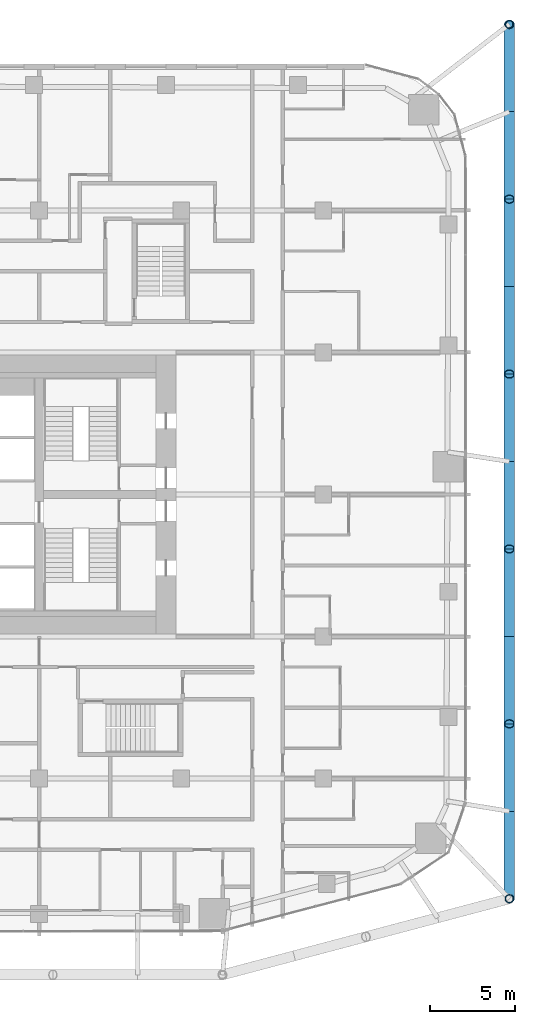
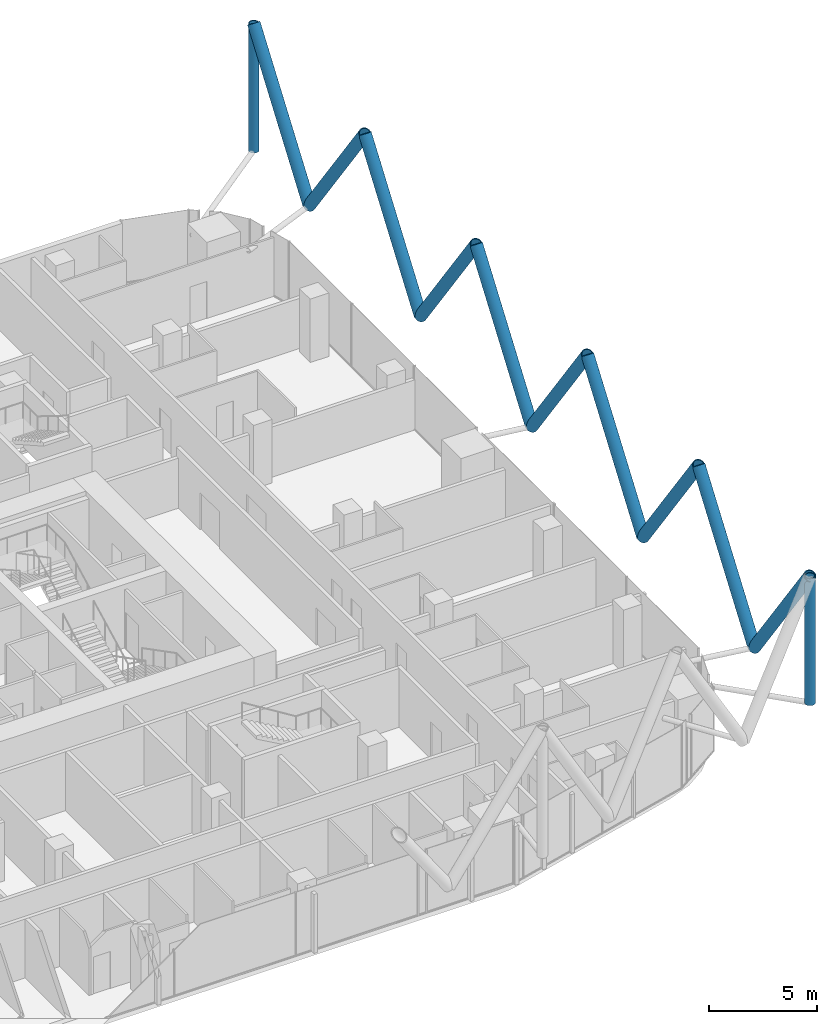
# One storey, part 15 of 38: 12 members.
"""IFC4 building model written with IfcOpenShell, lengths in metres."""

from ifc_helpers import new_model, si_unit, direction, frame, origin, origin_2d, place, context, subcontext, project, spatial, hollow_circle, extrude, material, material_profile, profile_set, type_object, element, save


model = new_model("IFC4")

# Units and contexts
model_context = context("Model", 3, precision=1e-05, world=origin(), true_north=direction((0.0, 1.0)))
body_context = subcontext(model_context, "Body", "Model", "MODEL_VIEW")
ifc_project = project(units=[si_unit("LENGTHUNIT", "METRE"), si_unit("AREAUNIT", "SQUARE_METRE"), si_unit("VOLUMEUNIT", "CUBIC_METRE"), si_unit("PLANEANGLEUNIT", "RADIAN"), si_unit("MASSUNIT", "GRAM", prefix="KILO")], contexts=[model_context])

# Site, building, storey
site_placement = place(None, origin())
site = spatial("IfcSite", under=ifc_project, at=site_placement, CompositionType="ELEMENT")
building_placement = place(site_placement, origin())
building = spatial("IfcBuilding", under=site, at=building_placement, Name="Marenta Gate Hotel Tower", CompositionType="ELEMENT")
storey_placement = place(building_placement, frame((0.0, 0.0, 54.5)))
storey = spatial("IfcBuildingStorey", under=building, at=storey_placement, Name="L11", CompositionType="ELEMENT", Elevation=54.5)

# Members
ifc_material_1 = material(Name="Steel S355J2W", Category="steel")
ifc_material_profile_1 = material_profile(ifc_material_1, hollow_circle(Radius=0.25390625, WallThickness=0.0400390625, at=origin_2d()), Name="CHS 508x40")
ifc_profile_set_1 = profile_set([ifc_material_profile_1], Name="Steel S355J2W")
member_type_1 = type_object("IfcMemberType", Name="Diagrid corner post Z1 CHS 508x40", PredefinedType="POST", material=ifc_profile_set_1)
for number, where, z_axis, x_axis, name in (
    (1, (32.0, 36.199951171875, 3.139892578125), (0.0, 0.0, 1.0), (1.0, 0.0, 0.0), "L11-DR-1"),
    (2, (32.0, -15.500244140625, 3.139892578125), (0.0, 0.0, 1.0), (1.0, 0.0, 0.0), "L11-DR-2"),
):
    element("IfcMember", number, at=place(storey_placement, frame(where, z_axis=z_axis, x_axis=x_axis)), inside=storey, type_object=member_type_1, Name=name, PredefinedType="POST", context=body_context, shape_type="SweptSolid", body=[
        extrude(hollow_circle(Radius=0.25390625, WallThickness=0.0400390625, at=origin_2d()), origin(), (0.0, 0.0, 1.0), 7.2001953125),
    ])
ifc_material_2 = material(Name="Steel S355J2W", Category="steel")
ifc_material_profile_2 = material_profile(ifc_material_2, hollow_circle(Radius=0.304931640625, WallThickness=0.0400390625, at=origin_2d()), Name="CHS 610x40")
ifc_profile_set_2 = profile_set([ifc_material_profile_2], Name="Steel S355J2W")
member_type_2 = type_object("IfcMemberType", Name="Diagrid diagonal Z1 CHS 610x40", PredefinedType="BRACE", material=ifc_profile_set_2)
for number, where, z_axis, x_axis, name in (
    (3, (32.0, 31.030029296875, 3.139892578125), (0.0, 0.583247791947, 0.812294289767), (-1.0, 0.0, 0.0), "L11-DG-1"),
    (4, (32.0, 31.030029296875, 3.139892578125), (0.0, -0.583247791947, 0.812294289767), (1.0, 0.0, 0.0), "L11-DG-2"),
):
    element("IfcMember", number, at=place(storey_placement, frame(where, z_axis=z_axis, x_axis=x_axis)), inside=storey, type_object=member_type_2, Name=name, PredefinedType="BRACE", context=body_context, shape_type="SweptSolid", body=[
        extrude(hollow_circle(Radius=0.304931640625, WallThickness=0.0400390625, at=origin_2d()), origin(), (0.0, 0.0, 1.0), 8.864013671875),
    ])
member_1_placement = place(storey_placement, frame((32.0, 20.68994140625, 3.139892578125), z_axis=(0.0, 0.583265964901, 0.81228124082), x_axis=(-1.0, 0.0, 0.0)))
element("IfcMember", 5, at=member_1_placement, inside=storey, type_object=member_type_2, Name="L11-DG-3", PredefinedType="BRACE", context=body_context, shape_type="SweptSolid", body=[
    extrude(hollow_circle(Radius=0.304931640625, WallThickness=0.0400390625, at=origin_2d()), origin(), (0.0, 0.0, 1.0), 8.8642578125),
])
member_2_placement = place(storey_placement, frame((32.0, 20.68994140625, 3.139892578125), z_axis=(0.0, -0.583247791947, 0.812294289767), x_axis=(1.0, 0.0, 0.0)))
element("IfcMember", 6, at=member_2_placement, inside=storey, type_object=member_type_2, Name="L11-DG-4", PredefinedType="BRACE", context=body_context, shape_type="SweptSolid", body=[
    extrude(hollow_circle(Radius=0.304931640625, WallThickness=0.0400390625, at=origin_2d()), origin(), (0.0, 0.0, 1.0), 8.864013671875),
])
member_3_placement = place(storey_placement, frame((32.0, 10.349853515625, 3.139892578125), z_axis=(0.0, 0.583265964901, 0.81228124082), x_axis=(-1.0, 0.0, 0.0)))
element("IfcMember", 7, at=member_3_placement, inside=storey, type_object=member_type_2, Name="L11-DG-5", PredefinedType="BRACE", context=body_context, shape_type="SweptSolid", body=[
    extrude(hollow_circle(Radius=0.304931640625, WallThickness=0.0400390625, at=origin_2d()), origin(), (0.0, 0.0, 1.0), 8.8642578125),
])
for number, where, z_axis, x_axis, name in (
    (8, (32.0, 10.349853515625, 3.139892578125), (0.0, -0.583247791947, 0.812294289767), (1.0, 0.0, 0.0), "L11-DG-6"),
    (9, (32.0, 0.010009765625, 3.139892578125), (0.0, 0.583247791947, 0.812294289767), (-1.0, 0.0, 0.0), "L11-DG-7"),
):
    element("IfcMember", number, at=place(storey_placement, frame(where, z_axis=z_axis, x_axis=x_axis)), inside=storey, type_object=member_type_2, Name=name, PredefinedType="BRACE", context=body_context, shape_type="SweptSolid", body=[
        extrude(hollow_circle(Radius=0.304931640625, WallThickness=0.0400390625, at=origin_2d()), origin(), (0.0, 0.0, 1.0), 8.864013671875),
    ])
member_4_placement = place(storey_placement, frame((32.0, 0.010009765625, 3.139892578125), z_axis=(0.0, -0.583265964901, 0.81228124082), x_axis=(1.0, 0.0, 0.0)))
element("IfcMember", 10, at=member_4_placement, inside=storey, type_object=member_type_2, Name="L11-DG-8", PredefinedType="BRACE", context=body_context, shape_type="SweptSolid", body=[
    extrude(hollow_circle(Radius=0.304931640625, WallThickness=0.0400390625, at=origin_2d()), origin(), (0.0, 0.0, 1.0), 8.8642578125),
])
member_5_placement = place(storey_placement, frame((32.0, -10.330078125, 3.139892578125), z_axis=(0.0, 0.583247791947, 0.812294289767), x_axis=(-1.0, 0.0, 0.0)))
element("IfcMember", 11, at=member_5_placement, inside=storey, type_object=member_type_2, Name="L11-DG-9", PredefinedType="BRACE", context=body_context, shape_type="SweptSolid", body=[
    extrude(hollow_circle(Radius=0.304931640625, WallThickness=0.0400390625, at=origin_2d()), origin(), (0.0, 0.0, 1.0), 8.864013671875),
])
member_6_placement = place(storey_placement, frame((32.0, -10.330078125, 3.139892578125), z_axis=(0.0, -0.583265964901, 0.81228124082), x_axis=(1.0, 0.0, 0.0)))
element("IfcMember", 12, at=member_6_placement, inside=storey, type_object=member_type_2, Name="L11-DG-10", PredefinedType="BRACE", context=body_context, shape_type="SweptSolid", body=[
    extrude(hollow_circle(Radius=0.304931640625, WallThickness=0.0400390625, at=origin_2d()), origin(), (0.0, 0.0, 1.0), 8.8642578125),
])

save(model, "model.ifc")
